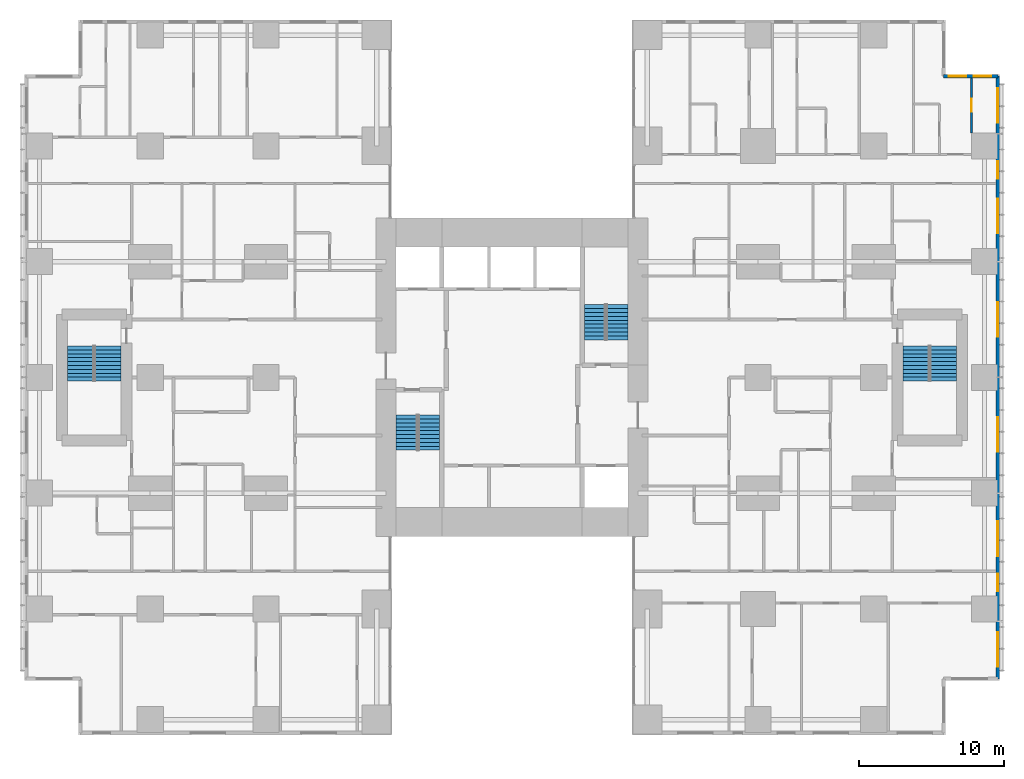
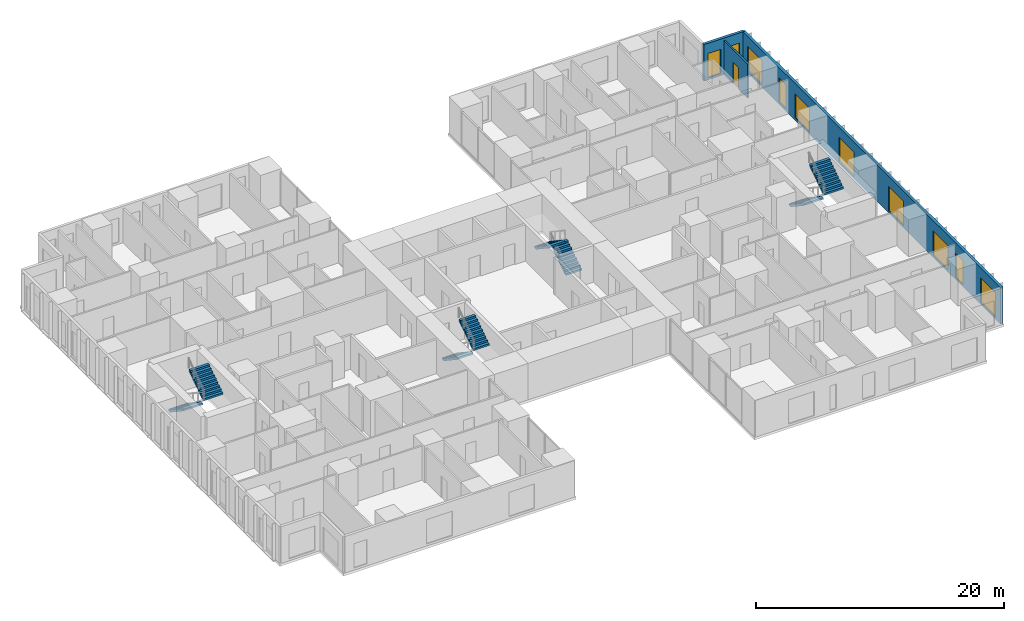
# One storey, part 19 of 20: 10 windows, 8 stair flights, 3 walls, 1 door, 11 openings, 4 elements without a shape of their own.
"""IFC4 building model written with IfcOpenShell, lengths in metres."""

from ifc_helpers import new_model, si_unit, direction, frame, frame_2d, origin, place, context, subcontext, project, spatial, polyline, rectangle, outline, extrude, material, layer, layer_set, type_object, element, fill, aggregate, save


model = new_model("IFC4")

# Units and contexts
model_context = context("Model", 3, precision=1e-05, world=origin(), true_north=direction((0.0, 1.0)))
body_context = subcontext(model_context, "Body", "Model", "MODEL_VIEW")
ifc_project = project(units=[si_unit("LENGTHUNIT", "METRE"), si_unit("AREAUNIT", "SQUARE_METRE"), si_unit("VOLUMEUNIT", "CUBIC_METRE"), si_unit("PLANEANGLEUNIT", "RADIAN"), si_unit("MASSUNIT", "GRAM", prefix="KILO")], contexts=[model_context])

# Site, building, storey
site_placement = place(None, origin())
site = spatial("IfcSite", under=ifc_project, at=site_placement, CompositionType="ELEMENT")
building_placement = place(site_placement, origin())
building = spatial("IfcBuilding", under=site, at=building_placement, Name="Cleftline Residences", CompositionType="ELEMENT")
storey_placement = place(building_placement, frame((0.0, 0.0, 193.0)))
storey = spatial("IfcBuildingStorey", under=building, at=storey_placement, Name="L50", CompositionType="ELEMENT", Elevation=193.0)

# Wall, openings, windows
ifc_material_1 = material(Name="Rendered reinforced concrete blockwork", Category="masonry")
ifc_layer_1 = layer(ifc_material_1, 0.25)
ifc_layer_set_1 = layer_set([ifc_layer_1], Name="EXTERNAL WALL 250")
wall_type_1 = type_object("IfcWallType", Name="EXTERNAL WALL 250", PredefinedType="SOLIDWALL", material=ifc_layer_set_1)
wall_1_placement = place(storey_placement, frame((66.574951171875, 3.175048828125, 0.0), z_axis=(0.0, 0.0, 1.0), x_axis=(0.0, 1.0, 0.0)))
wall_1 = element("IfcWall", 1, at=wall_1_placement, inside=storey, type_object=wall_type_1, Name="External wall", PredefinedType="SOLIDWALL", context=body_context, shape_type="SweptSolid", body=[
    extrude(rectangle(XDim=41.64990234375, YDim=0.25, at=frame_2d((20.824951171875, 0.0))), origin(), (0.0, 0.0, 1.0), 3.60009765625),
])
opening_1_placement = place(wall_1_placement, frame((0.824951171875, 0.0, 0.199951171875)))
opening_1 = element("IfcOpeningElement", 2, at=opening_1_placement, cuts=wall_1, Name="Opening W9", PredefinedType="OPENING", context=body_context, shape_type="SweptSolid", body=[
    extrude(rectangle(XDim=2.39990234375, YDim=2.39990234375, at=frame_2d((1.199951171875, 1.199951171875))), frame((0.0, 0.135009765625, 0.0), z_axis=(0.0, -1.0, 0.0), x_axis=(1.0, 0.0, 0.0)), (0.0, 0.0, 1.0), 0.27001953125),
])
opening_2_placement = place(wall_1_placement, frame((6.050048828125, 0.0, 0.199951171875)))
opening_2 = element("IfcOpeningElement", 3, at=opening_2_placement, cuts=wall_1, Name="Opening W13", PredefinedType="OPENING", context=body_context, shape_type="SweptSolid", body=[
    extrude(rectangle(XDim=1.199951171875, YDim=2.39990234375, at=frame_2d((0.60009765625, 1.199951171875))), frame((0.0, 0.135009765625, 0.0), z_axis=(0.0, -1.0, 0.0), x_axis=(1.0, 0.0, 0.0)), (0.0, 0.0, 1.0), 0.27001953125),
])
opening_3_placement = place(wall_1_placement, frame((8.47509765625, 0.0, 0.199951171875)))
opening_3 = element("IfcOpeningElement", 4, at=opening_3_placement, cuts=wall_1, Name="Opening W9", PredefinedType="OPENING", context=body_context, shape_type="SweptSolid", body=[
    extrude(rectangle(XDim=2.39990234375, YDim=2.39990234375, at=frame_2d((1.199951171875, 1.199951171875))), frame((0.0, 0.135009765625, 0.0), z_axis=(0.0, -1.0, 0.0), x_axis=(1.0, 0.0, 0.0)), (0.0, 0.0, 1.0), 0.27001953125),
])
opening_4_placement = place(wall_1_placement, frame((15.675048828125, 0.0, 0.199951171875)))
opening_4 = element("IfcOpeningElement", 5, at=opening_4_placement, cuts=wall_1, Name="Opening W9", PredefinedType="OPENING", context=body_context, shape_type="SweptSolid", body=[
    extrude(rectangle(XDim=2.39990234375, YDim=2.39990234375, at=frame_2d((1.199951171875, 1.199951171875))), frame((0.0, 0.135009765625, 0.0), z_axis=(0.0, -1.0, 0.0), x_axis=(1.0, 0.0, 0.0)), (0.0, 0.0, 1.0), 0.27001953125),
])
opening_5_placement = place(wall_1_placement, frame((23.625, 0.0, 0.199951171875)))
opening_5 = element("IfcOpeningElement", 6, at=opening_5_placement, cuts=wall_1, Name="Opening W9", PredefinedType="OPENING", context=body_context, shape_type="SweptSolid", body=[
    extrude(rectangle(XDim=2.39990234375, YDim=2.39990234375, at=frame_2d((1.199951171875, 1.199951171875))), frame((0.0, 0.135009765625, 0.0), z_axis=(0.0, -1.0, 0.0), x_axis=(1.0, 0.0, 0.0)), (0.0, 0.0, 1.0), 0.27001953125),
])
opening_6_placement = place(wall_1_placement, frame((30.77490234375, 0.0, 0.199951171875)))
opening_6 = element("IfcOpeningElement", 7, at=opening_6_placement, cuts=wall_1, Name="Opening W9", PredefinedType="OPENING", context=body_context, shape_type="SweptSolid", body=[
    extrude(rectangle(XDim=2.39990234375, YDim=2.39990234375, at=frame_2d((1.199951171875, 1.199951171875))), frame((0.0, 0.135009765625, 0.0), z_axis=(0.0, -1.0, 0.0), x_axis=(1.0, 0.0, 0.0)), (0.0, 0.0, 1.0), 0.27001953125),
])
opening_7_placement = place(wall_1_placement, frame((34.550048828125, 0.0, 0.199951171875)))
opening_7 = element("IfcOpeningElement", 8, at=opening_7_placement, cuts=wall_1, Name="Opening W13", PredefinedType="OPENING", context=body_context, shape_type="SweptSolid", body=[
    extrude(rectangle(XDim=1.199951171875, YDim=2.39990234375, at=frame_2d((0.60009765625, 1.199951171875))), frame((0.0, 0.135009765625, 0.0), z_axis=(0.0, -1.0, 0.0), x_axis=(1.0, 0.0, 0.0)), (0.0, 0.0, 1.0), 0.27001953125),
])
opening_8_placement = place(wall_1_placement, frame((38.425048828125, 0.0, 0.199951171875)))
opening_8 = element("IfcOpeningElement", 9, at=opening_8_placement, cuts=wall_1, Name="Opening W9", PredefinedType="OPENING", context=body_context, shape_type="SweptSolid", body=[
    extrude(rectangle(XDim=2.39990234375, YDim=2.39990234375, at=frame_2d((1.199951171875, 1.199951171875))), frame((0.0, 0.135009765625, 0.0), z_axis=(0.0, -1.0, 0.0), x_axis=(1.0, 0.0, 0.0)), (0.0, 0.0, 1.0), 0.27001953125),
])
ifc_material_2 = material(Name="Aluminium frame, clear double glazing", Category="aluminium")
window_type_1 = type_object("IfcWindowType", Name="WINDOW 1200X2400", PartitioningType="DOUBLE_PANEL_VERTICAL", PredefinedType="WINDOW", material=ifc_material_2)
window_1_placement = place(opening_2_placement, origin())
window_1 = element("IfcWindow", 10, at=window_1_placement, inside=storey, type_object=window_type_1, Name="Window", OverallHeight=2.39990234375, OverallWidth=1.199951171875, PartitioningType="SINGLE_PANEL", PredefinedType="WINDOW", context=body_context, shape_type="SweptSolid", body=[
    extrude(rectangle(XDim=1.199951171875, YDim=2.39990234375, at=frame_2d((0.60009765625, 1.199951171875))), frame((0.0, 0.030029296875, 0.0), z_axis=(0.0, -1.0, 0.0), x_axis=(1.0, 0.0, 0.0)), (0.0, 0.0, 1.0), 0.06005859375),
])
fill(opening_2, window_1)
window_2_placement = place(opening_7_placement, origin())
window_2 = element("IfcWindow", 11, at=window_2_placement, inside=storey, type_object=window_type_1, Name="Window", OverallHeight=2.39990234375, OverallWidth=1.199951171875, PartitioningType="SINGLE_PANEL", PredefinedType="WINDOW", context=body_context, shape_type="SweptSolid", body=[
    extrude(rectangle(XDim=1.199951171875, YDim=2.39990234375, at=frame_2d((0.60009765625, 1.199951171875))), frame((0.0, 0.030029296875, 0.0), z_axis=(0.0, -1.0, 0.0), x_axis=(1.0, 0.0, 0.0)), (0.0, 0.0, 1.0), 0.06005859375),
])
fill(opening_7, window_2)
ifc_material_3 = material(Name="Aluminium frame, clear double glazing", Category="aluminium")
window_type_2 = type_object("IfcWindowType", Name="WINDOW 2400X2400", PartitioningType="DOUBLE_PANEL_VERTICAL", PredefinedType="WINDOW", material=ifc_material_3)
window_3_placement = place(opening_1_placement, origin())
window_3 = element("IfcWindow", 12, at=window_3_placement, inside=storey, type_object=window_type_2, Name="Window", OverallHeight=2.39990234375, OverallWidth=2.39990234375, PartitioningType="SINGLE_PANEL", PredefinedType="WINDOW", context=body_context, shape_type="SweptSolid", body=[
    extrude(rectangle(XDim=2.39990234375, YDim=2.39990234375, at=frame_2d((1.199951171875, 1.199951171875))), frame((0.0, 0.030029296875, 0.0), z_axis=(0.0, -1.0, 0.0), x_axis=(1.0, 0.0, 0.0)), (0.0, 0.0, 1.0), 0.06005859375),
])
fill(opening_1, window_3)
window_4_placement = place(opening_3_placement, origin())
window_4 = element("IfcWindow", 13, at=window_4_placement, inside=storey, type_object=window_type_2, Name="Window", OverallHeight=2.39990234375, OverallWidth=2.39990234375, PartitioningType="SINGLE_PANEL", PredefinedType="WINDOW", context=body_context, shape_type="SweptSolid", body=[
    extrude(rectangle(XDim=2.39990234375, YDim=2.39990234375, at=frame_2d((1.199951171875, 1.199951171875))), frame((0.0, 0.030029296875, 0.0), z_axis=(0.0, -1.0, 0.0), x_axis=(1.0, 0.0, 0.0)), (0.0, 0.0, 1.0), 0.06005859375),
])
fill(opening_3, window_4)
window_5_placement = place(opening_4_placement, origin())
window_5 = element("IfcWindow", 14, at=window_5_placement, inside=storey, type_object=window_type_2, Name="Window", OverallHeight=2.39990234375, OverallWidth=2.39990234375, PartitioningType="SINGLE_PANEL", PredefinedType="WINDOW", context=body_context, shape_type="SweptSolid", body=[
    extrude(rectangle(XDim=2.39990234375, YDim=2.39990234375, at=frame_2d((1.199951171875, 1.199951171875))), frame((0.0, 0.030029296875, 0.0), z_axis=(0.0, -1.0, 0.0), x_axis=(1.0, 0.0, 0.0)), (0.0, 0.0, 1.0), 0.06005859375),
])
fill(opening_4, window_5)
window_6_placement = place(opening_5_placement, origin())
window_6 = element("IfcWindow", 15, at=window_6_placement, inside=storey, type_object=window_type_2, Name="Window", OverallHeight=2.39990234375, OverallWidth=2.39990234375, PartitioningType="SINGLE_PANEL", PredefinedType="WINDOW", context=body_context, shape_type="SweptSolid", body=[
    extrude(rectangle(XDim=2.39990234375, YDim=2.39990234375, at=frame_2d((1.199951171875, 1.199951171875))), frame((0.0, 0.030029296875, 0.0), z_axis=(0.0, -1.0, 0.0), x_axis=(1.0, 0.0, 0.0)), (0.0, 0.0, 1.0), 0.06005859375),
])
fill(opening_5, window_6)
window_7_placement = place(opening_6_placement, origin())
window_7 = element("IfcWindow", 16, at=window_7_placement, inside=storey, type_object=window_type_2, Name="Window", OverallHeight=2.39990234375, OverallWidth=2.39990234375, PartitioningType="SINGLE_PANEL", PredefinedType="WINDOW", context=body_context, shape_type="SweptSolid", body=[
    extrude(rectangle(XDim=2.39990234375, YDim=2.39990234375, at=frame_2d((1.199951171875, 1.199951171875))), frame((0.0, 0.030029296875, 0.0), z_axis=(0.0, -1.0, 0.0), x_axis=(1.0, 0.0, 0.0)), (0.0, 0.0, 1.0), 0.06005859375),
])
fill(opening_6, window_7)
window_8_placement = place(opening_8_placement, origin())
window_8 = element("IfcWindow", 17, at=window_8_placement, inside=storey, type_object=window_type_2, Name="Window", OverallHeight=2.39990234375, OverallWidth=2.39990234375, PartitioningType="SINGLE_PANEL", PredefinedType="WINDOW", context=body_context, shape_type="SweptSolid", body=[
    extrude(rectangle(XDim=2.39990234375, YDim=2.39990234375, at=frame_2d((1.199951171875, 1.199951171875))), frame((0.0, 0.030029296875, 0.0), z_axis=(0.0, -1.0, 0.0), x_axis=(1.0, 0.0, 0.0)), (0.0, 0.0, 1.0), 0.06005859375),
])
fill(opening_8, window_8)

wall_2_placement = place(storey_placement, frame((66.574951171875, 44.824951171875, 0.0), z_axis=(0.0, 0.0, 1.0), x_axis=(-1.0, 0.0, 0.0)))
wall_2 = element("IfcWall", 18, at=wall_2_placement, inside=storey, type_object=wall_type_1, Name="External wall", PredefinedType="SOLIDWALL", context=body_context, shape_type="SweptSolid", body=[
    extrude(rectangle(XDim=3.75, YDim=0.25, at=frame_2d((1.875, 0.0))), origin(), (0.0, 0.0, 1.0), 3.60009765625),
])
opening_9_placement = place(wall_2_placement, frame((0.449951171875, 0.0, 0.199951171875)))
opening_9 = element("IfcOpeningElement", 19, at=opening_9_placement, cuts=wall_2, Name="Opening W13", PredefinedType="OPENING", context=body_context, shape_type="SweptSolid", body=[
    extrude(rectangle(XDim=1.199951171875, YDim=2.39990234375, at=frame_2d((0.60009765625, 1.199951171875))), frame((0.0, 0.135009765625, 0.0), z_axis=(0.0, -1.0, 0.0), x_axis=(1.0, 0.0, 0.0)), (0.0, 0.0, 1.0), 0.27001953125),
])
opening_10_placement = place(wall_2_placement, frame((2.1875, 0.0, 0.199951171875)))
opening_10 = element("IfcOpeningElement", 20, at=opening_10_placement, cuts=wall_2, Name="Opening W13", PredefinedType="OPENING", context=body_context, shape_type="SweptSolid", body=[
    extrude(rectangle(XDim=1.199951171875, YDim=2.39990234375, at=frame_2d((0.60009765625, 1.199951171875))), frame((0.0, 0.135009765625, 0.0), z_axis=(0.0, -1.0, 0.0), x_axis=(1.0, 0.0, 0.0)), (0.0, 0.0, 1.0), 0.27001953125),
])
window_9_placement = place(opening_9_placement, origin())
window_9 = element("IfcWindow", 21, at=window_9_placement, inside=storey, type_object=window_type_1, Name="Window", OverallHeight=2.39990234375, OverallWidth=1.199951171875, PartitioningType="SINGLE_PANEL", PredefinedType="WINDOW", context=body_context, shape_type="SweptSolid", body=[
    extrude(rectangle(XDim=1.199951171875, YDim=2.39990234375, at=frame_2d((0.60009765625, 1.199951171875))), frame((0.0, 0.030029296875, 0.0), z_axis=(0.0, -1.0, 0.0), x_axis=(1.0, 0.0, 0.0)), (0.0, 0.0, 1.0), 0.06005859375),
])
fill(opening_9, window_9)
window_10_placement = place(opening_10_placement, origin())
window_10 = element("IfcWindow", 22, at=window_10_placement, inside=storey, type_object=window_type_1, Name="Window", OverallHeight=2.39990234375, OverallWidth=1.199951171875, PartitioningType="SINGLE_PANEL", PredefinedType="WINDOW", context=body_context, shape_type="SweptSolid", body=[
    extrude(rectangle(XDim=1.199951171875, YDim=2.39990234375, at=frame_2d((0.60009765625, 1.199951171875))), frame((0.0, 0.030029296875, 0.0), z_axis=(0.0, -1.0, 0.0), x_axis=(1.0, 0.0, 0.0)), (0.0, 0.0, 1.0), 0.06005859375),
])
fill(opening_10, window_10)

# Wall, opening, door
ifc_material_4 = material(Name="Gypsum board on steel studs", Category="steel")
ifc_layer_2 = layer(ifc_material_4, 0.14990234375)
ifc_layer_set_2 = layer_set([ifc_layer_2], Name="PARTITION 150")
wall_type_2 = type_object("IfcWallType", Name="PARTITION 150", PredefinedType="PARTITIONING", material=ifc_layer_set_2)
wall_3_placement = place(storey_placement, frame((64.75, 40.89990234375, 0.0), z_axis=(0.0, 0.0, 1.0), x_axis=(0.0, 1.0, 0.0)))
wall_3 = element("IfcWall", 23, at=wall_3_placement, inside=storey, type_object=wall_type_2, Name="Partition", PredefinedType="PARTITIONING", context=body_context, shape_type="SweptSolid", body=[
    extrude(rectangle(XDim=3.800048828125, YDim=0.14990234375, at=frame_2d((1.89990234375, 0.0))), origin(), (0.0, 0.0, 1.0), 3.35009765625),
])
opening_11_placement = place(wall_3_placement, frame((1.449951171875, 0.0, 0.0)))
opening_11 = element("IfcOpeningElement", 24, at=opening_11_placement, cuts=wall_3, Name="Opening D1", PredefinedType="OPENING", context=body_context, shape_type="SweptSolid", body=[
    extrude(rectangle(XDim=0.89990234375, YDim=2.10009765625, at=frame_2d((0.449951171875, 1.050048828125))), frame((0.0, 0.0849609375, 0.0), z_axis=(0.0, -1.0, 0.0), x_axis=(1.0, 0.0, 0.0)), (0.0, 0.0, 1.0), 0.169921875),
])
ifc_material_5 = material(Name="Timber veneer on solid core", Category="wood")
door_type = type_object("IfcDoorType", Name="DOOR 900X2100", OperationType="SINGLE_SWING_LEFT", PredefinedType="DOOR", material=ifc_material_5)
door_placement = place(opening_11_placement, origin())
door = element("IfcDoor", 25, at=door_placement, inside=storey, type_object=door_type, Name="Door to walk-in wardrobe", OperationType="SINGLE_SWING_LEFT", OverallHeight=2.10009765625, OverallWidth=0.89990234375, PredefinedType="DOOR", context=body_context, shape_type="SweptSolid", body=[
    extrude(rectangle(XDim=0.89990234375, YDim=2.10009765625, at=frame_2d((0.449951171875, 1.050048828125))), frame((0.0, 0.02490234375, 0.0), z_axis=(0.0, -1.0, 0.0), x_axis=(1.0, 0.0, 0.0)), (0.0, 0.0, 1.0), 0.050048828125),
])
fill(opening_11, door)

# Stair, stair flights
ifc_material_6 = material(Name="Concrete B45, stone treads", Category="masonry")
stair_type_1 = type_object("IfcStairType", Name="STAIR A 1450 WIDE 180 RISER", PredefinedType="HALF_TURN_STAIR", material=ifc_material_6)
stair_1_placement = place(storey_placement, origin())
stair_1 = element("IfcStair", 26, at=stair_1_placement, inside=storey, type_object=stair_type_1, Name="Stair A L50", PredefinedType="HALF_TURN_STAIR")
ifc_material_7 = material(Name="Concrete B45", Category="concrete")
stair_flight_type_1 = type_object("IfcStairFlightType", Name="STAIR A FLIGHT 1450X180", PredefinedType="STRAIGHT", material=ifc_material_7)
stair_flight_1_placement = place(storey_placement, frame((25.72509765625, 21.39990234375, 0.0), z_axis=(0.0, 0.0, 1.0), x_axis=(0.0, -1.0, 0.0)))
stair_flight_1 = element("IfcStairFlight", 27, at=stair_flight_1_placement, type_object=stair_flight_type_1, Name="ST-A flight 1", NumberOfRisers=10, NumberOfTreads=9, PredefinedType="STRAIGHT", RiserHeight=0.18, TreadLength=0.27, context=body_context, shape_type="SweptSolid", body=[
    extrude(outline(polyline([(0.0, 0.0), (0.0, 0.013916015625), (0.0, 0.027587890625), (0.0, 0.04150390625), (0.0, 0.055419921875), (0.0, 0.0693359375), (0.0, 0.0830078125), (0.0, 0.096923828125), (0.0, 0.11083984375), (0.0, 0.12451171875), (0.0, 0.138427734375), (0.0, 0.15234375), (0.0, 0.166259765625), (0.0, 0.179931640625), (0.27001953125, 0.179931640625), (0.27001953125, 0.360107421875), (0.5400390625, 0.360107421875), (0.5400390625, 0.5400390625), (0.81005859375, 0.5400390625), (0.81005859375, 0.719970703125), (1.080078125, 0.719970703125), (1.080078125, 0.89990234375), (1.35009765625, 0.89990234375), (1.35009765625, 1.080078125), (1.6201171875, 1.080078125), (1.6201171875, 1.260009765625), (1.889892578125, 1.260009765625), (1.889892578125, 1.43994140625), (2.159912109375, 1.43994140625), (2.159912109375, 1.6201171875), (2.429931640625, 1.6201171875), (2.429931640625, 1.800048828125), (2.429931640625, 1.772216796875), (2.429931640625, 1.74462890625), (2.429931640625, 1.716796875), (2.429931640625, 1.689208984375), (2.429931640625, 1.661376953125), (2.429931640625, 1.6337890625), (2.429931640625, 1.60595703125), (2.429931640625, 1.578369140625), (2.429931640625, 1.550537109375), (2.429931640625, 1.52294921875), (2.429931640625, 1.495361328125), (2.429931640625, 1.467529296875), (2.429931640625, 1.43994140625), (0.270263671875, 0.0), (0.0, 0.0)])), frame((0.0, 0.72509765625, 0.0), z_axis=(0.0, -1.0, 0.0), x_axis=(1.0, 0.0, 0.0)), (0.0, 0.0, 1.0), 1.449951171875),
])
stair_flight_2_placement = place(storey_placement, frame((27.27490234375, 18.969970703125, 1.800048828125), z_axis=(0.0, 0.0, 1.0), x_axis=(0.0, 1.0, 0.0)))
stair_flight_2 = element("IfcStairFlight", 28, at=stair_flight_2_placement, type_object=stair_flight_type_1, Name="ST-A flight 2", NumberOfRisers=10, NumberOfTreads=9, PredefinedType="STRAIGHT", RiserHeight=0.18, TreadLength=0.27, context=body_context, shape_type="SweptSolid", body=[
    extrude(outline(polyline([(0.0, 0.0), (0.0, 0.013916015625), (0.0, 0.027587890625), (0.0, 0.04150390625), (0.0, 0.055419921875), (0.0, 0.0693359375), (0.0, 0.0830078125), (0.0, 0.096923828125), (0.0, 0.11083984375), (0.0, 0.12451171875), (0.0, 0.138427734375), (0.0, 0.15234375), (0.0, 0.166259765625), (0.0, 0.179931640625), (0.27001953125, 0.179931640625), (0.27001953125, 0.360107421875), (0.5400390625, 0.360107421875), (0.5400390625, 0.5400390625), (0.81005859375, 0.5400390625), (0.81005859375, 0.719970703125), (1.080078125, 0.719970703125), (1.080078125, 0.89990234375), (1.35009765625, 0.89990234375), (1.35009765625, 1.080078125), (1.6201171875, 1.080078125), (1.6201171875, 1.260009765625), (1.889892578125, 1.260009765625), (1.889892578125, 1.43994140625), (2.159912109375, 1.43994140625), (2.159912109375, 1.6201171875), (2.429931640625, 1.6201171875), (2.429931640625, 1.800048828125), (2.429931640625, 1.772216796875), (2.429931640625, 1.74462890625), (2.429931640625, 1.716796875), (2.429931640625, 1.689208984375), (2.429931640625, 1.661376953125), (2.429931640625, 1.6337890625), (2.429931640625, 1.60595703125), (2.429931640625, 1.578369140625), (2.429931640625, 1.550537109375), (2.429931640625, 1.52294921875), (2.429931640625, 1.495361328125), (2.429931640625, 1.467529296875), (2.429931640625, 1.43994140625), (0.270263671875, 0.0), (0.0, 0.0)])), frame((0.0, 0.72509765625, 0.0), z_axis=(0.0, -1.0, 0.0), x_axis=(1.0, 0.0, 0.0)), (0.0, 0.0, 1.0), 1.449951171875),
])
aggregate(stair_1, [stair_flight_1, stair_flight_2])

ifc_material_8 = material(Name="Concrete B45, stone treads", Category="masonry")
stair_type_2 = type_object("IfcStairType", Name="STAIR B 1450 WIDE 180 RISER", PredefinedType="HALF_TURN_STAIR", material=ifc_material_8)
stair_2_placement = place(storey_placement, origin())
stair_2 = element("IfcStair", 29, at=stair_2_placement, inside=storey, type_object=stair_type_2, Name="Stair B L50", PredefinedType="HALF_TURN_STAIR")
ifc_material_9 = material(Name="Concrete B45", Category="concrete")
stair_flight_type_2 = type_object("IfcStairFlightType", Name="STAIR B FLIGHT 1450X180", PredefinedType="STRAIGHT", material=ifc_material_9)
stair_flight_3_placement = place(storey_placement, frame((40.27490234375, 26.60009765625, 0.0), z_axis=(0.0, 0.0, 1.0), x_axis=(0.0, 1.0, 0.0)))
stair_flight_3 = element("IfcStairFlight", 30, at=stair_flight_3_placement, type_object=stair_flight_type_2, Name="ST-B flight 1", NumberOfRisers=10, NumberOfTreads=9, PredefinedType="STRAIGHT", RiserHeight=0.18, TreadLength=0.27, context=body_context, shape_type="SweptSolid", body=[
    extrude(outline(polyline([(0.0, 0.0), (0.0, 0.013916015625), (0.0, 0.027587890625), (0.0, 0.04150390625), (0.0, 0.055419921875), (0.0, 0.0693359375), (0.0, 0.0830078125), (0.0, 0.096923828125), (0.0, 0.11083984375), (0.0, 0.12451171875), (0.0, 0.138427734375), (0.0, 0.15234375), (0.0, 0.166259765625), (0.0, 0.179931640625), (0.27001953125, 0.179931640625), (0.27001953125, 0.360107421875), (0.5400390625, 0.360107421875), (0.5400390625, 0.5400390625), (0.81005859375, 0.5400390625), (0.81005859375, 0.719970703125), (1.080078125, 0.719970703125), (1.080078125, 0.89990234375), (1.35009765625, 0.89990234375), (1.35009765625, 1.080078125), (1.6201171875, 1.080078125), (1.6201171875, 1.260009765625), (1.889892578125, 1.260009765625), (1.889892578125, 1.43994140625), (2.159912109375, 1.43994140625), (2.159912109375, 1.6201171875), (2.429931640625, 1.6201171875), (2.429931640625, 1.800048828125), (2.429931640625, 1.772216796875), (2.429931640625, 1.74462890625), (2.429931640625, 1.716796875), (2.429931640625, 1.689208984375), (2.429931640625, 1.661376953125), (2.429931640625, 1.6337890625), (2.429931640625, 1.60595703125), (2.429931640625, 1.578369140625), (2.429931640625, 1.550537109375), (2.429931640625, 1.52294921875), (2.429931640625, 1.495361328125), (2.429931640625, 1.467529296875), (2.429931640625, 1.43994140625), (0.270263671875, 0.0), (0.0, 0.0)])), frame((0.0, 0.72509765625, 0.0), z_axis=(0.0, -1.0, 0.0), x_axis=(1.0, 0.0, 0.0)), (0.0, 0.0, 1.0), 1.449951171875),
])
stair_flight_4_placement = place(storey_placement, frame((38.72509765625, 29.030029296875, 1.800048828125), z_axis=(0.0, 0.0, 1.0), x_axis=(0.0, -1.0, 0.0)))
stair_flight_4 = element("IfcStairFlight", 31, at=stair_flight_4_placement, type_object=stair_flight_type_2, Name="ST-B flight 2", NumberOfRisers=10, NumberOfTreads=9, PredefinedType="STRAIGHT", RiserHeight=0.18, TreadLength=0.27, context=body_context, shape_type="SweptSolid", body=[
    extrude(outline(polyline([(0.0, 0.0), (0.0, 0.013916015625), (0.0, 0.027587890625), (0.0, 0.04150390625), (0.0, 0.055419921875), (0.0, 0.0693359375), (0.0, 0.0830078125), (0.0, 0.096923828125), (0.0, 0.11083984375), (0.0, 0.12451171875), (0.0, 0.138427734375), (0.0, 0.15234375), (0.0, 0.166259765625), (0.0, 0.179931640625), (0.27001953125, 0.179931640625), (0.27001953125, 0.360107421875), (0.5400390625, 0.360107421875), (0.5400390625, 0.5400390625), (0.81005859375, 0.5400390625), (0.81005859375, 0.719970703125), (1.080078125, 0.719970703125), (1.080078125, 0.89990234375), (1.35009765625, 0.89990234375), (1.35009765625, 1.080078125), (1.6201171875, 1.080078125), (1.6201171875, 1.260009765625), (1.889892578125, 1.260009765625), (1.889892578125, 1.43994140625), (2.159912109375, 1.43994140625), (2.159912109375, 1.6201171875), (2.429931640625, 1.6201171875), (2.429931640625, 1.800048828125), (2.429931640625, 1.772216796875), (2.429931640625, 1.74462890625), (2.429931640625, 1.716796875), (2.429931640625, 1.689208984375), (2.429931640625, 1.661376953125), (2.429931640625, 1.6337890625), (2.429931640625, 1.60595703125), (2.429931640625, 1.578369140625), (2.429931640625, 1.550537109375), (2.429931640625, 1.52294921875), (2.429931640625, 1.495361328125), (2.429931640625, 1.467529296875), (2.429931640625, 1.43994140625), (0.270263671875, 0.0), (0.0, 0.0)])), frame((0.0, 0.72509765625, 0.0), z_axis=(0.0, -1.0, 0.0), x_axis=(1.0, 0.0, 0.0)), (0.0, 0.0, 1.0), 1.449951171875),
])
aggregate(stair_2, [stair_flight_3, stair_flight_4])

ifc_material_10 = material(Name="Concrete B45, stone treads", Category="masonry")
stair_type_3 = type_object("IfcStairType", Name="STAIR E 1800 WIDE 180 RISER", PredefinedType="HALF_TURN_STAIR", material=ifc_material_10)
stair_3_placement = place(storey_placement, origin())
stair_3 = element("IfcStair", 32, at=stair_3_placement, inside=storey, type_object=stair_type_3, Name="Stair E L50", PredefinedType="HALF_TURN_STAIR")
ifc_material_11 = material(Name="Concrete B45", Category="concrete")
stair_flight_type_3 = type_object("IfcStairFlightType", Name="STAIR E FLIGHT 1800X180", PredefinedType="STRAIGHT", material=ifc_material_11)
stair_flight_5_placement = place(storey_placement, frame((60.925048828125, 26.175048828125, 0.0), z_axis=(0.0, 0.0, 1.0), x_axis=(0.0, -1.0, 0.0)))
stair_flight_5 = element("IfcStairFlight", 33, at=stair_flight_5_placement, type_object=stair_flight_type_3, Name="ST-E flight 1", NumberOfRisers=10, NumberOfTreads=9, PredefinedType="STRAIGHT", RiserHeight=0.18, TreadLength=0.27, context=body_context, shape_type="SweptSolid", body=[
    extrude(outline(polyline([(0.0, 0.0), (0.0, 0.013916015625), (0.0, 0.027587890625), (0.0, 0.04150390625), (0.0, 0.055419921875), (0.0, 0.0693359375), (0.0, 0.0830078125), (0.0, 0.096923828125), (0.0, 0.11083984375), (0.0, 0.12451171875), (0.0, 0.138427734375), (0.0, 0.15234375), (0.0, 0.166259765625), (0.0, 0.179931640625), (0.27001953125, 0.179931640625), (0.27001953125, 0.360107421875), (0.5400390625, 0.360107421875), (0.5400390625, 0.5400390625), (0.81005859375, 0.5400390625), (0.81005859375, 0.719970703125), (1.080078125, 0.719970703125), (1.080078125, 0.89990234375), (1.35009765625, 0.89990234375), (1.35009765625, 1.080078125), (1.6201171875, 1.080078125), (1.6201171875, 1.260009765625), (1.889892578125, 1.260009765625), (1.889892578125, 1.43994140625), (2.159912109375, 1.43994140625), (2.159912109375, 1.6201171875), (2.429931640625, 1.6201171875), (2.429931640625, 1.800048828125), (2.429931640625, 1.772216796875), (2.429931640625, 1.74462890625), (2.429931640625, 1.716796875), (2.429931640625, 1.689208984375), (2.429931640625, 1.661376953125), (2.429931640625, 1.6337890625), (2.429931640625, 1.60595703125), (2.429931640625, 1.578369140625), (2.429931640625, 1.550537109375), (2.429931640625, 1.52294921875), (2.429931640625, 1.495361328125), (2.429931640625, 1.467529296875), (2.429931640625, 1.43994140625), (0.270263671875, 0.0), (0.0, 0.0)])), frame((0.0, 0.89990234375, 0.0), z_axis=(0.0, -1.0, 0.0), x_axis=(1.0, 0.0, 0.0)), (0.0, 0.0, 1.0), 1.800048828125),
])
stair_flight_6_placement = place(storey_placement, frame((62.824951171875, 23.7451171875, 1.800048828125), z_axis=(0.0, 0.0, 1.0), x_axis=(0.0, 1.0, 0.0)))
stair_flight_6 = element("IfcStairFlight", 34, at=stair_flight_6_placement, type_object=stair_flight_type_3, Name="ST-E flight 2", NumberOfRisers=10, NumberOfTreads=9, PredefinedType="STRAIGHT", RiserHeight=0.18, TreadLength=0.27, context=body_context, shape_type="SweptSolid", body=[
    extrude(outline(polyline([(0.0, 0.0), (0.0, 0.013916015625), (0.0, 0.027587890625), (0.0, 0.04150390625), (0.0, 0.055419921875), (0.0, 0.0693359375), (0.0, 0.0830078125), (0.0, 0.096923828125), (0.0, 0.11083984375), (0.0, 0.12451171875), (0.0, 0.138427734375), (0.0, 0.15234375), (0.0, 0.166259765625), (0.0, 0.179931640625), (0.27001953125, 0.179931640625), (0.27001953125, 0.360107421875), (0.5400390625, 0.360107421875), (0.5400390625, 0.5400390625), (0.81005859375, 0.5400390625), (0.81005859375, 0.719970703125), (1.080078125, 0.719970703125), (1.080078125, 0.89990234375), (1.35009765625, 0.89990234375), (1.35009765625, 1.080078125), (1.6201171875, 1.080078125), (1.6201171875, 1.260009765625), (1.889892578125, 1.260009765625), (1.889892578125, 1.43994140625), (2.159912109375, 1.43994140625), (2.159912109375, 1.6201171875), (2.429931640625, 1.6201171875), (2.429931640625, 1.800048828125), (2.429931640625, 1.772216796875), (2.429931640625, 1.74462890625), (2.429931640625, 1.716796875), (2.429931640625, 1.689208984375), (2.429931640625, 1.661376953125), (2.429931640625, 1.6337890625), (2.429931640625, 1.60595703125), (2.429931640625, 1.578369140625), (2.429931640625, 1.550537109375), (2.429931640625, 1.52294921875), (2.429931640625, 1.495361328125), (2.429931640625, 1.467529296875), (2.429931640625, 1.43994140625), (0.270263671875, 0.0), (0.0, 0.0)])), frame((0.0, 0.89990234375, 0.0), z_axis=(0.0, -1.0, 0.0), x_axis=(1.0, 0.0, 0.0)), (0.0, 0.0, 1.0), 1.800048828125),
])
aggregate(stair_3, [stair_flight_5, stair_flight_6])

ifc_material_12 = material(Name="Concrete B45, stone treads", Category="masonry")
stair_type_4 = type_object("IfcStairType", Name="STAIR W 1800 WIDE 180 RISER", PredefinedType="HALF_TURN_STAIR", material=ifc_material_12)
stair_4_placement = place(storey_placement, origin())
stair_4 = element("IfcStair", 35, at=stair_4_placement, inside=storey, type_object=stair_type_4, Name="Stair W L50", PredefinedType="HALF_TURN_STAIR")
ifc_material_13 = material(Name="Concrete B45", Category="concrete")
stair_flight_type_4 = type_object("IfcStairFlightType", Name="STAIR W FLIGHT 1800X180", PredefinedType="STRAIGHT", material=ifc_material_13)
stair_flight_7_placement = place(storey_placement, frame((3.175048828125, 26.175048828125, 0.0), z_axis=(0.0, 0.0, 1.0), x_axis=(0.0, -1.0, 0.0)))
stair_flight_7 = element("IfcStairFlight", 36, at=stair_flight_7_placement, type_object=stair_flight_type_4, Name="ST-W flight 1", NumberOfRisers=10, NumberOfTreads=9, PredefinedType="STRAIGHT", RiserHeight=0.18, TreadLength=0.27, context=body_context, shape_type="SweptSolid", body=[
    extrude(outline(polyline([(0.0, 0.0), (0.0, 0.013916015625), (0.0, 0.027587890625), (0.0, 0.04150390625), (0.0, 0.055419921875), (0.0, 0.0693359375), (0.0, 0.0830078125), (0.0, 0.096923828125), (0.0, 0.11083984375), (0.0, 0.12451171875), (0.0, 0.138427734375), (0.0, 0.15234375), (0.0, 0.166259765625), (0.0, 0.179931640625), (0.27001953125, 0.179931640625), (0.27001953125, 0.360107421875), (0.5400390625, 0.360107421875), (0.5400390625, 0.5400390625), (0.81005859375, 0.5400390625), (0.81005859375, 0.719970703125), (1.080078125, 0.719970703125), (1.080078125, 0.89990234375), (1.35009765625, 0.89990234375), (1.35009765625, 1.080078125), (1.6201171875, 1.080078125), (1.6201171875, 1.260009765625), (1.889892578125, 1.260009765625), (1.889892578125, 1.43994140625), (2.159912109375, 1.43994140625), (2.159912109375, 1.6201171875), (2.429931640625, 1.6201171875), (2.429931640625, 1.800048828125), (2.429931640625, 1.772216796875), (2.429931640625, 1.74462890625), (2.429931640625, 1.716796875), (2.429931640625, 1.689208984375), (2.429931640625, 1.661376953125), (2.429931640625, 1.6337890625), (2.429931640625, 1.60595703125), (2.429931640625, 1.578369140625), (2.429931640625, 1.550537109375), (2.429931640625, 1.52294921875), (2.429931640625, 1.495361328125), (2.429931640625, 1.467529296875), (2.429931640625, 1.43994140625), (0.270263671875, 0.0), (0.0, 0.0)])), frame((0.0, 0.89990234375, 0.0), z_axis=(0.0, -1.0, 0.0), x_axis=(1.0, 0.0, 0.0)), (0.0, 0.0, 1.0), 1.800048828125),
])
stair_flight_8_placement = place(storey_placement, frame((5.074951171875, 23.7451171875, 1.800048828125), z_axis=(0.0, 0.0, 1.0), x_axis=(0.0, 1.0, 0.0)))
stair_flight_8 = element("IfcStairFlight", 37, at=stair_flight_8_placement, type_object=stair_flight_type_4, Name="ST-W flight 2", NumberOfRisers=10, NumberOfTreads=9, PredefinedType="STRAIGHT", RiserHeight=0.18, TreadLength=0.27, context=body_context, shape_type="SweptSolid", body=[
    extrude(outline(polyline([(0.0, 0.0), (0.0, 0.013916015625), (0.0, 0.027587890625), (0.0, 0.04150390625), (0.0, 0.055419921875), (0.0, 0.0693359375), (0.0, 0.0830078125), (0.0, 0.096923828125), (0.0, 0.11083984375), (0.0, 0.12451171875), (0.0, 0.138427734375), (0.0, 0.15234375), (0.0, 0.166259765625), (0.0, 0.179931640625), (0.27001953125, 0.179931640625), (0.27001953125, 0.360107421875), (0.5400390625, 0.360107421875), (0.5400390625, 0.5400390625), (0.81005859375, 0.5400390625), (0.81005859375, 0.719970703125), (1.080078125, 0.719970703125), (1.080078125, 0.89990234375), (1.35009765625, 0.89990234375), (1.35009765625, 1.080078125), (1.6201171875, 1.080078125), (1.6201171875, 1.260009765625), (1.889892578125, 1.260009765625), (1.889892578125, 1.43994140625), (2.159912109375, 1.43994140625), (2.159912109375, 1.6201171875), (2.429931640625, 1.6201171875), (2.429931640625, 1.800048828125), (2.429931640625, 1.772216796875), (2.429931640625, 1.74462890625), (2.429931640625, 1.716796875), (2.429931640625, 1.689208984375), (2.429931640625, 1.661376953125), (2.429931640625, 1.6337890625), (2.429931640625, 1.60595703125), (2.429931640625, 1.578369140625), (2.429931640625, 1.550537109375), (2.429931640625, 1.52294921875), (2.429931640625, 1.495361328125), (2.429931640625, 1.467529296875), (2.429931640625, 1.43994140625), (0.270263671875, 0.0), (0.0, 0.0)])), frame((0.0, 0.89990234375, 0.0), z_axis=(0.0, -1.0, 0.0), x_axis=(1.0, 0.0, 0.0)), (0.0, 0.0, 1.0), 1.800048828125),
])
aggregate(stair_4, [stair_flight_7, stair_flight_8])

save(model, "model.ifc")
